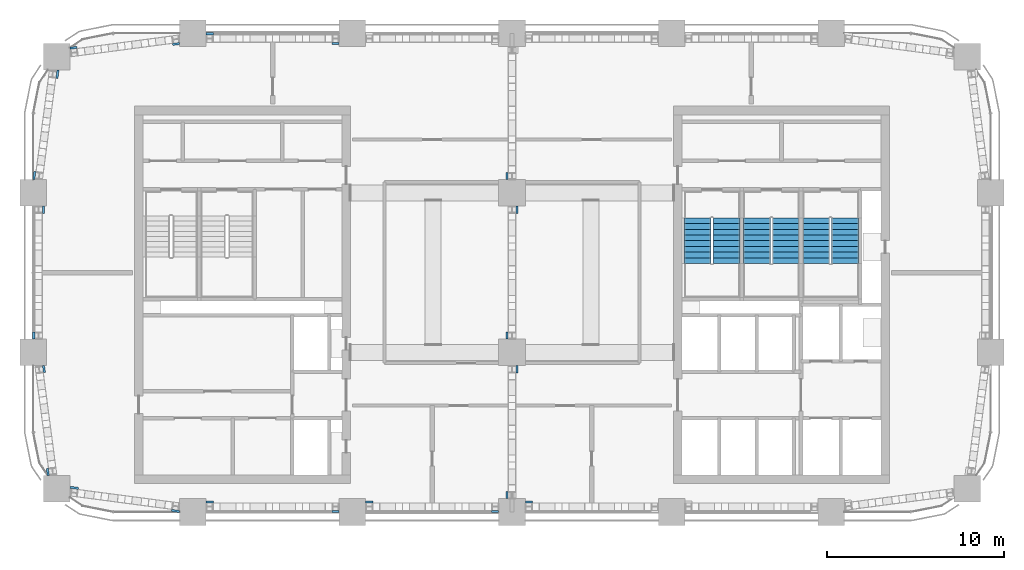
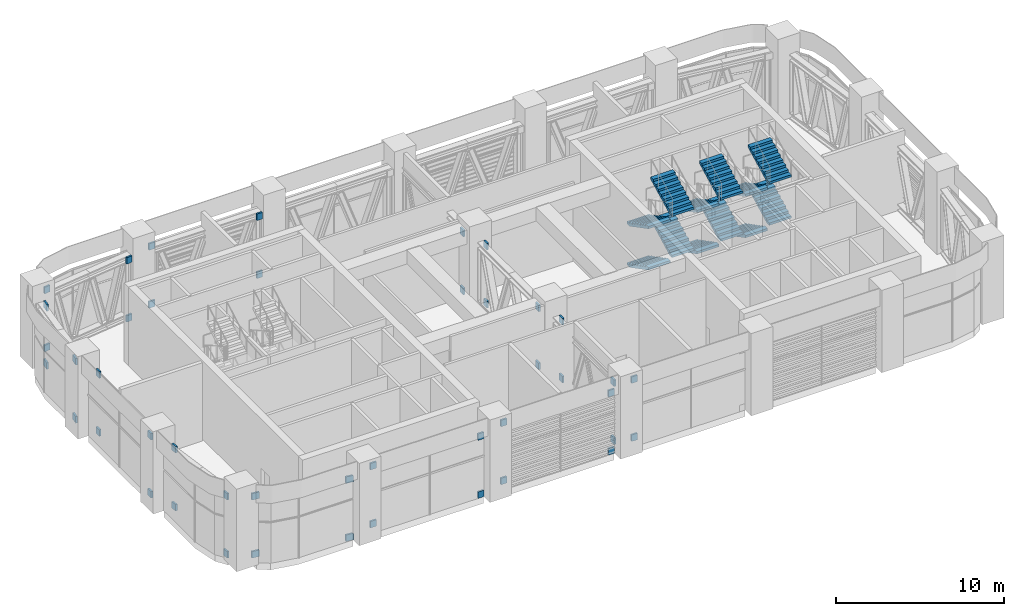
# One storey, part 15 of 19: 44 discrete accessories, 12 stair flights, 3 elements without a shape of their own.
"""IFC4 building model written with IfcOpenShell, lengths in metres."""

from ifc_helpers import new_model, si_unit, direction, frame, origin, place, context, subcontext, project, spatial, polyline, outline, extrude, material, type_object, element, aggregate, save


model = new_model("IFC4")

# Units and contexts
model_context = context("Model", 3, precision=1e-05, world=origin(), true_north=direction((0.0, 1.0)))
body_context = subcontext(model_context, "Body", "Model", "MODEL_VIEW")
ifc_project = project(units=[si_unit("LENGTHUNIT", "METRE"), si_unit("AREAUNIT", "SQUARE_METRE"), si_unit("VOLUMEUNIT", "CUBIC_METRE"), si_unit("PLANEANGLEUNIT", "RADIAN"), si_unit("MASSUNIT", "GRAM", prefix="KILO")], contexts=[model_context])

# Site, building, storey
site_placement = place(None, origin())
site = spatial("IfcSite", under=ifc_project, at=site_placement, CompositionType="ELEMENT")
building_placement = place(site_placement, origin())
building = spatial("IfcBuilding", under=site, at=building_placement, Name="Tessera Arch", CompositionType="ELEMENT")
storey_placement = place(building_placement, frame((0.0, 0.0, 197.300048828125)))
storey = spatial("IfcBuildingStorey", under=building, at=storey_placement, Name="L47", CompositionType="ELEMENT", Elevation=197.300048828125)

# Stair, stair flights
ifc_material_1 = material(Name="Concrete C40/50", Category="concrete")
stair_type = type_object("IfcStairType", Name="Dogleg stair 1520", PredefinedType="HALF_TURN_STAIR", material=ifc_material_1)
stair_1_placement = place(storey_placement, origin())
stair_1 = element("IfcStair", 1, at=stair_1_placement, inside=storey, type_object=stair_type, Name="L47 S1a", PredefinedType="HALF_TURN_STAIR")
ifc_material_2 = material(Name="Concrete C40/50", Category="concrete")
stair_flight_type = type_object("IfcStairFlightType", Name="Stair flight 1520", PredefinedType="STRAIGHT", material=ifc_material_2)
stair_flight_1_placement = place(storey_placement, frame((37.4599609375, 43.580078125, 0.0), z_axis=(0.0, 0.0, 1.0), x_axis=(0.0, -1.0, 0.0)))
stair_flight_1 = element("IfcStairFlight", 2, at=stair_flight_1_placement, type_object=stair_flight_type, Name="S1a flight 1", NumberOfRisers=9, NumberOfTreads=8, PredefinedType="STRAIGHT", RiserHeight=0.166666667, TreadLength=0.32, context=body_context, shape_type="SweptSolid", body=[
    extrude(outline(polyline([(0.0, 0.0), (0.0, 0.166748046875), (0.320068359375, 0.166748046875), (0.320068359375, 0.333251953125), (0.639892578125, 0.333251953125), (0.639892578125, 0.5), (0.9599609375, 0.5), (0.9599609375, 0.666748046875), (1.280029296875, 0.666748046875), (1.280029296875, 0.833251953125), (1.60009765625, 0.833251953125), (1.60009765625, 1.0), (1.919921875, 1.0), (1.919921875, 1.166748046875), (2.239990234375, 1.166748046875), (2.239990234375, 1.333251953125), (2.56005859375, 1.333251953125), (2.56005859375, 1.5), (2.56005859375, 1.164306640625), (0.324462890625, 0.0), (0.0, 0.0)])), frame((0.0, 0.760009765625, 0.0), z_axis=(0.0, -1.0, 0.0), x_axis=(1.0, 0.0, 0.0)), (0.0, 0.0, 1.0), 1.52001953125),
])
stair_flight_2_placement = place(storey_placement, frame((39.090087890625, 41.02001953125, 1.5), z_axis=(0.0, 0.0, 1.0), x_axis=(0.0, 1.0, 0.0)))
stair_flight_2 = element("IfcStairFlight", 3, at=stair_flight_2_placement, type_object=stair_flight_type, Name="S1a flight 2", NumberOfRisers=9, NumberOfTreads=8, PredefinedType="STRAIGHT", RiserHeight=0.166666667, TreadLength=0.32, context=body_context, shape_type="SweptSolid", body=[
    extrude(outline(polyline([(0.0, 0.0), (0.0, 0.166748046875), (0.320068359375, 0.166748046875), (0.320068359375, 0.333251953125), (0.639892578125, 0.333251953125), (0.639892578125, 0.5), (0.9599609375, 0.5), (0.9599609375, 0.666748046875), (1.280029296875, 0.666748046875), (1.280029296875, 0.833251953125), (1.60009765625, 0.833251953125), (1.60009765625, 1.0), (1.919921875, 1.0), (1.919921875, 1.166748046875), (2.239990234375, 1.166748046875), (2.239990234375, 1.333251953125), (2.56005859375, 1.333251953125), (2.56005859375, 1.5), (2.56005859375, 1.164306640625), (0.324462890625, 0.0), (0.0, 0.0)])), frame((0.0, 0.760009765625, 0.0), z_axis=(0.0, -1.0, 0.0), x_axis=(1.0, 0.0, 0.0)), (0.0, 0.0, 1.0), 1.52001953125),
])
stair_flight_3_placement = place(storey_placement, frame((37.4599609375, 43.580078125, 3.0), z_axis=(0.0, 0.0, 1.0), x_axis=(0.0, -1.0, 0.0)))
stair_flight_3 = element("IfcStairFlight", 4, at=stair_flight_3_placement, type_object=stair_flight_type, Name="S1a flight 3", NumberOfRisers=9, NumberOfTreads=8, PredefinedType="STRAIGHT", RiserHeight=0.166666667, TreadLength=0.32, context=body_context, shape_type="SweptSolid", body=[
    extrude(outline(polyline([(0.0, 0.0), (0.0, 0.166748046875), (0.320068359375, 0.166748046875), (0.320068359375, 0.333251953125), (0.639892578125, 0.333251953125), (0.639892578125, 0.5), (0.9599609375, 0.5), (0.9599609375, 0.666748046875), (1.280029296875, 0.666748046875), (1.280029296875, 0.833251953125), (1.60009765625, 0.833251953125), (1.60009765625, 1.0), (1.919921875, 1.0), (1.919921875, 1.166748046875), (2.239990234375, 1.166748046875), (2.239990234375, 1.333251953125), (2.56005859375, 1.333251953125), (2.56005859375, 1.5), (2.56005859375, 1.164306640625), (0.324462890625, 0.0), (0.0, 0.0)])), frame((0.0, 0.760009765625, 0.0), z_axis=(0.0, -1.0, 0.0), x_axis=(1.0, 0.0, 0.0)), (0.0, 0.0, 1.0), 1.52001953125),
])
stair_flight_4_placement = place(storey_placement, frame((39.090087890625, 41.02001953125, 4.5), z_axis=(0.0, 0.0, 1.0), x_axis=(0.0, 1.0, 0.0)))
stair_flight_4 = element("IfcStairFlight", 5, at=stair_flight_4_placement, type_object=stair_flight_type, Name="S1a flight 4", NumberOfRisers=9, NumberOfTreads=8, PredefinedType="STRAIGHT", RiserHeight=0.166666667, TreadLength=0.32, context=body_context, shape_type="SweptSolid", body=[
    extrude(outline(polyline([(0.0, 0.0), (0.0, 0.166748046875), (0.320068359375, 0.166748046875), (0.320068359375, 0.333251953125), (0.639892578125, 0.333251953125), (0.639892578125, 0.5), (0.9599609375, 0.5), (0.9599609375, 0.666748046875), (1.280029296875, 0.666748046875), (1.280029296875, 0.833251953125), (1.60009765625, 0.833251953125), (1.60009765625, 1.0), (1.919921875, 1.0), (1.919921875, 1.166748046875), (2.239990234375, 1.166748046875), (2.239990234375, 1.333251953125), (2.56005859375, 1.333251953125), (2.56005859375, 1.5), (2.56005859375, 1.164306640625), (0.324462890625, 0.0), (0.0, 0.0)])), frame((0.0, 0.760009765625, 0.0), z_axis=(0.0, -1.0, 0.0), x_axis=(1.0, 0.0, 0.0)), (0.0, 0.0, 1.0), 1.52001953125),
])
aggregate(stair_1, [stair_flight_1, stair_flight_2, stair_flight_3, stair_flight_4])

stair_2_placement = place(storey_placement, origin())
stair_2 = element("IfcStair", 6, at=stair_2_placement, inside=storey, type_object=stair_type, Name="L47 S1b", PredefinedType="HALF_TURN_STAIR")
stair_flight_5_placement = place(storey_placement, frame((40.81005859375, 43.580078125, 0.0), z_axis=(0.0, 0.0, 1.0), x_axis=(0.0, -1.0, 0.0)))
stair_flight_5 = element("IfcStairFlight", 7, at=stair_flight_5_placement, type_object=stair_flight_type, Name="S1b flight 1", NumberOfRisers=9, NumberOfTreads=8, PredefinedType="STRAIGHT", RiserHeight=0.166666667, TreadLength=0.32, context=body_context, shape_type="SweptSolid", body=[
    extrude(outline(polyline([(0.0, 0.0), (0.0, 0.166748046875), (0.320068359375, 0.166748046875), (0.320068359375, 0.333251953125), (0.639892578125, 0.333251953125), (0.639892578125, 0.5), (0.9599609375, 0.5), (0.9599609375, 0.666748046875), (1.280029296875, 0.666748046875), (1.280029296875, 0.833251953125), (1.60009765625, 0.833251953125), (1.60009765625, 1.0), (1.919921875, 1.0), (1.919921875, 1.166748046875), (2.239990234375, 1.166748046875), (2.239990234375, 1.333251953125), (2.56005859375, 1.333251953125), (2.56005859375, 1.5), (2.56005859375, 1.164306640625), (0.324462890625, 0.0), (0.0, 0.0)])), frame((0.0, 0.760009765625, 0.0), z_axis=(0.0, -1.0, 0.0), x_axis=(1.0, 0.0, 0.0)), (0.0, 0.0, 1.0), 1.52001953125),
])
stair_flight_6_placement = place(storey_placement, frame((42.43994140625, 41.02001953125, 1.5), z_axis=(0.0, 0.0, 1.0), x_axis=(0.0, 1.0, 0.0)))
stair_flight_6 = element("IfcStairFlight", 8, at=stair_flight_6_placement, type_object=stair_flight_type, Name="S1b flight 2", NumberOfRisers=9, NumberOfTreads=8, PredefinedType="STRAIGHT", RiserHeight=0.166666667, TreadLength=0.32, context=body_context, shape_type="SweptSolid", body=[
    extrude(outline(polyline([(0.0, 0.0), (0.0, 0.166748046875), (0.320068359375, 0.166748046875), (0.320068359375, 0.333251953125), (0.639892578125, 0.333251953125), (0.639892578125, 0.5), (0.9599609375, 0.5), (0.9599609375, 0.666748046875), (1.280029296875, 0.666748046875), (1.280029296875, 0.833251953125), (1.60009765625, 0.833251953125), (1.60009765625, 1.0), (1.919921875, 1.0), (1.919921875, 1.166748046875), (2.239990234375, 1.166748046875), (2.239990234375, 1.333251953125), (2.56005859375, 1.333251953125), (2.56005859375, 1.5), (2.56005859375, 1.164306640625), (0.324462890625, 0.0), (0.0, 0.0)])), frame((0.0, 0.760009765625, 0.0), z_axis=(0.0, -1.0, 0.0), x_axis=(1.0, 0.0, 0.0)), (0.0, 0.0, 1.0), 1.52001953125),
])
stair_flight_7_placement = place(storey_placement, frame((40.81005859375, 43.580078125, 3.0), z_axis=(0.0, 0.0, 1.0), x_axis=(0.0, -1.0, 0.0)))
stair_flight_7 = element("IfcStairFlight", 9, at=stair_flight_7_placement, type_object=stair_flight_type, Name="S1b flight 3", NumberOfRisers=9, NumberOfTreads=8, PredefinedType="STRAIGHT", RiserHeight=0.166666667, TreadLength=0.32, context=body_context, shape_type="SweptSolid", body=[
    extrude(outline(polyline([(0.0, 0.0), (0.0, 0.166748046875), (0.320068359375, 0.166748046875), (0.320068359375, 0.333251953125), (0.639892578125, 0.333251953125), (0.639892578125, 0.5), (0.9599609375, 0.5), (0.9599609375, 0.666748046875), (1.280029296875, 0.666748046875), (1.280029296875, 0.833251953125), (1.60009765625, 0.833251953125), (1.60009765625, 1.0), (1.919921875, 1.0), (1.919921875, 1.166748046875), (2.239990234375, 1.166748046875), (2.239990234375, 1.333251953125), (2.56005859375, 1.333251953125), (2.56005859375, 1.5), (2.56005859375, 1.164306640625), (0.324462890625, 0.0), (0.0, 0.0)])), frame((0.0, 0.760009765625, 0.0), z_axis=(0.0, -1.0, 0.0), x_axis=(1.0, 0.0, 0.0)), (0.0, 0.0, 1.0), 1.52001953125),
])
stair_flight_8_placement = place(storey_placement, frame((42.43994140625, 41.02001953125, 4.5), z_axis=(0.0, 0.0, 1.0), x_axis=(0.0, 1.0, 0.0)))
stair_flight_8 = element("IfcStairFlight", 10, at=stair_flight_8_placement, type_object=stair_flight_type, Name="S1b flight 4", NumberOfRisers=9, NumberOfTreads=8, PredefinedType="STRAIGHT", RiserHeight=0.166666667, TreadLength=0.32, context=body_context, shape_type="SweptSolid", body=[
    extrude(outline(polyline([(0.0, 0.0), (0.0, 0.166748046875), (0.320068359375, 0.166748046875), (0.320068359375, 0.333251953125), (0.639892578125, 0.333251953125), (0.639892578125, 0.5), (0.9599609375, 0.5), (0.9599609375, 0.666748046875), (1.280029296875, 0.666748046875), (1.280029296875, 0.833251953125), (1.60009765625, 0.833251953125), (1.60009765625, 1.0), (1.919921875, 1.0), (1.919921875, 1.166748046875), (2.239990234375, 1.166748046875), (2.239990234375, 1.333251953125), (2.56005859375, 1.333251953125), (2.56005859375, 1.5), (2.56005859375, 1.164306640625), (0.324462890625, 0.0), (0.0, 0.0)])), frame((0.0, 0.760009765625, 0.0), z_axis=(0.0, -1.0, 0.0), x_axis=(1.0, 0.0, 0.0)), (0.0, 0.0, 1.0), 1.52001953125),
])
aggregate(stair_2, [stair_flight_5, stair_flight_6, stair_flight_7, stair_flight_8])

stair_3_placement = place(storey_placement, origin())
stair_3 = element("IfcStair", 11, at=stair_3_placement, inside=storey, type_object=stair_type, Name="L47 S1c", PredefinedType="HALF_TURN_STAIR")
stair_flight_9_placement = place(storey_placement, frame((44.159912109375, 43.580078125, 0.0), z_axis=(0.0, 0.0, 1.0), x_axis=(0.0, -1.0, 0.0)))
stair_flight_9 = element("IfcStairFlight", 12, at=stair_flight_9_placement, type_object=stair_flight_type, Name="S1c flight 1", NumberOfRisers=9, NumberOfTreads=8, PredefinedType="STRAIGHT", RiserHeight=0.166666667, TreadLength=0.32, context=body_context, shape_type="SweptSolid", body=[
    extrude(outline(polyline([(0.0, 0.0), (0.0, 0.166748046875), (0.320068359375, 0.166748046875), (0.320068359375, 0.333251953125), (0.639892578125, 0.333251953125), (0.639892578125, 0.5), (0.9599609375, 0.5), (0.9599609375, 0.666748046875), (1.280029296875, 0.666748046875), (1.280029296875, 0.833251953125), (1.60009765625, 0.833251953125), (1.60009765625, 1.0), (1.919921875, 1.0), (1.919921875, 1.166748046875), (2.239990234375, 1.166748046875), (2.239990234375, 1.333251953125), (2.56005859375, 1.333251953125), (2.56005859375, 1.5), (2.56005859375, 1.164306640625), (0.324462890625, 0.0), (0.0, 0.0)])), frame((0.0, 0.760009765625, 0.0), z_axis=(0.0, -1.0, 0.0), x_axis=(1.0, 0.0, 0.0)), (0.0, 0.0, 1.0), 1.52001953125),
])
stair_flight_10_placement = place(storey_placement, frame((45.7900390625, 41.02001953125, 1.5), z_axis=(0.0, 0.0, 1.0), x_axis=(0.0, 1.0, 0.0)))
stair_flight_10 = element("IfcStairFlight", 13, at=stair_flight_10_placement, type_object=stair_flight_type, Name="S1c flight 2", NumberOfRisers=9, NumberOfTreads=8, PredefinedType="STRAIGHT", RiserHeight=0.166666667, TreadLength=0.32, context=body_context, shape_type="SweptSolid", body=[
    extrude(outline(polyline([(0.0, 0.0), (0.0, 0.166748046875), (0.320068359375, 0.166748046875), (0.320068359375, 0.333251953125), (0.639892578125, 0.333251953125), (0.639892578125, 0.5), (0.9599609375, 0.5), (0.9599609375, 0.666748046875), (1.280029296875, 0.666748046875), (1.280029296875, 0.833251953125), (1.60009765625, 0.833251953125), (1.60009765625, 1.0), (1.919921875, 1.0), (1.919921875, 1.166748046875), (2.239990234375, 1.166748046875), (2.239990234375, 1.333251953125), (2.56005859375, 1.333251953125), (2.56005859375, 1.5), (2.56005859375, 1.164306640625), (0.324462890625, 0.0), (0.0, 0.0)])), frame((0.0, 0.760009765625, 0.0), z_axis=(0.0, -1.0, 0.0), x_axis=(1.0, 0.0, 0.0)), (0.0, 0.0, 1.0), 1.52001953125),
])
stair_flight_11_placement = place(storey_placement, frame((44.159912109375, 43.580078125, 3.0), z_axis=(0.0, 0.0, 1.0), x_axis=(0.0, -1.0, 0.0)))
stair_flight_11 = element("IfcStairFlight", 14, at=stair_flight_11_placement, type_object=stair_flight_type, Name="S1c flight 3", NumberOfRisers=9, NumberOfTreads=8, PredefinedType="STRAIGHT", RiserHeight=0.166666667, TreadLength=0.32, context=body_context, shape_type="SweptSolid", body=[
    extrude(outline(polyline([(0.0, 0.0), (0.0, 0.166748046875), (0.320068359375, 0.166748046875), (0.320068359375, 0.333251953125), (0.639892578125, 0.333251953125), (0.639892578125, 0.5), (0.9599609375, 0.5), (0.9599609375, 0.666748046875), (1.280029296875, 0.666748046875), (1.280029296875, 0.833251953125), (1.60009765625, 0.833251953125), (1.60009765625, 1.0), (1.919921875, 1.0), (1.919921875, 1.166748046875), (2.239990234375, 1.166748046875), (2.239990234375, 1.333251953125), (2.56005859375, 1.333251953125), (2.56005859375, 1.5), (2.56005859375, 1.164306640625), (0.324462890625, 0.0), (0.0, 0.0)])), frame((0.0, 0.760009765625, 0.0), z_axis=(0.0, -1.0, 0.0), x_axis=(1.0, 0.0, 0.0)), (0.0, 0.0, 1.0), 1.52001953125),
])
stair_flight_12_placement = place(storey_placement, frame((45.7900390625, 41.02001953125, 4.5), z_axis=(0.0, 0.0, 1.0), x_axis=(0.0, 1.0, 0.0)))
stair_flight_12 = element("IfcStairFlight", 15, at=stair_flight_12_placement, type_object=stair_flight_type, Name="S1c flight 4", NumberOfRisers=9, NumberOfTreads=8, PredefinedType="STRAIGHT", RiserHeight=0.166666667, TreadLength=0.32, context=body_context, shape_type="SweptSolid", body=[
    extrude(outline(polyline([(0.0, 0.0), (0.0, 0.166748046875), (0.320068359375, 0.166748046875), (0.320068359375, 0.333251953125), (0.639892578125, 0.333251953125), (0.639892578125, 0.5), (0.9599609375, 0.5), (0.9599609375, 0.666748046875), (1.280029296875, 0.666748046875), (1.280029296875, 0.833251953125), (1.60009765625, 0.833251953125), (1.60009765625, 1.0), (1.919921875, 1.0), (1.919921875, 1.166748046875), (2.239990234375, 1.166748046875), (2.239990234375, 1.333251953125), (2.56005859375, 1.333251953125), (2.56005859375, 1.5), (2.56005859375, 1.164306640625), (0.324462890625, 0.0), (0.0, 0.0)])), frame((0.0, 0.760009765625, 0.0), z_axis=(0.0, -1.0, 0.0), x_axis=(1.0, 0.0, 0.0)), (0.0, 0.0, 1.0), 1.52001953125),
])
aggregate(stair_3, [stair_flight_9, stair_flight_10, stair_flight_11, stair_flight_12])

# Discrete accessories
discrete_accessory_1_placement = place(storey_placement, frame((0.0, 0.0, 4.225830078125)))
element("IfcDiscreteAccessory", 16, at=discrete_accessory_1_placement, inside=storey, Name="Chord seat bracket", PredefinedType="BRACKET", context=body_context, shape_type="SweptSolid", body=[
    extrude(outline(polyline([(16.85009765625, 53.488037109375), (17.25, 53.488037109375), (17.25, 53.367919921875), (16.85009765625, 53.367919921875), (16.85009765625, 53.488037109375)])), origin(), (0.0, 0.0, 1.0), 0.47412109375),
])
discrete_accessory_2_placement = place(storey_placement, frame((0.0, 0.0, 4.225830078125)))
element("IfcDiscreteAccessory", 17, at=discrete_accessory_2_placement, inside=storey, Name="Chord seat bracket", PredefinedType="BRACKET", context=body_context, shape_type="SweptSolid", body=[
    extrude(outline(polyline([(9.75, 53.912109375), (9.75, 54.031982421875), (10.14990234375, 54.031982421875), (10.14990234375, 53.912109375), (9.75, 53.912109375)])), origin(), (0.0, 0.0, 1.0), 0.47412109375),
])
discrete_accessory_3_placement = place(storey_placement, origin())
element("IfcDiscreteAccessory", 18, at=discrete_accessory_3_placement, inside=storey, Name="Chord seat bracket", PredefinedType="BRACKET", context=body_context, shape_type="SweptSolid", body=[
    extrude(outline(polyline([(16.85009765625, 53.488037109375), (17.25, 53.488037109375), (17.25, 53.367919921875), (16.85009765625, 53.367919921875), (16.85009765625, 53.488037109375)])), origin(), (0.0, 0.0, 1.0), 0.47412109375),
])
discrete_accessory_4_placement = place(storey_placement, origin())
element("IfcDiscreteAccessory", 19, at=discrete_accessory_4_placement, inside=storey, Name="Chord seat bracket", PredefinedType="BRACKET", context=body_context, shape_type="SweptSolid", body=[
    extrude(outline(polyline([(9.75, 53.912109375), (9.75, 54.031982421875), (10.14990234375, 54.031982421875), (10.14990234375, 53.912109375), (9.75, 53.912109375)])), origin(), (0.0, 0.0, 1.0), 0.47412109375),
])
discrete_accessory_5_placement = place(storey_placement, frame((0.0, 0.0, 4.225830078125)))
element("IfcDiscreteAccessory", 20, at=discrete_accessory_5_placement, inside=storey, Name="Chord seat bracket", PredefinedType="BRACKET", context=body_context, shape_type="SweptSolid", body=[
    extrude(outline(polyline([(8.25, 53.4833984375), (8.25, 53.362548828125), (7.869140625, 53.312255859375), (7.853515625, 53.43115234375), (8.25, 53.4833984375)])), origin(), (0.0, 0.0, 1.0), 0.47412109375),
])
discrete_accessory_6_placement = place(storey_placement, frame((0.0, 0.0, 4.225830078125)))
element("IfcDiscreteAccessory", 21, at=discrete_accessory_6_placement, inside=storey, Name="Chord seat bracket", PredefinedType="BRACKET", context=body_context, shape_type="SweptSolid", body=[
    extrude(outline(polyline([(2.47607421875, 53.148193359375), (2.068115234375, 53.094482421875), (2.068115234375, 53.21533203125), (2.46044921875, 53.267333984375), (2.47607421875, 53.148193359375)])), origin(), (0.0, 0.0, 1.0), 0.47412109375),
])
discrete_accessory_7_placement = place(storey_placement, origin())
element("IfcDiscreteAccessory", 22, at=discrete_accessory_7_placement, inside=storey, Name="Chord seat bracket", PredefinedType="BRACKET", context=body_context, shape_type="SweptSolid", body=[
    extrude(outline(polyline([(8.25, 53.4833984375), (8.25, 53.362548828125), (7.869140625, 53.312255859375), (7.853515625, 53.43115234375), (8.25, 53.4833984375)])), origin(), (0.0, 0.0, 1.0), 0.47412109375),
])
discrete_accessory_8_placement = place(storey_placement, origin())
element("IfcDiscreteAccessory", 23, at=discrete_accessory_8_placement, inside=storey, Name="Chord seat bracket", PredefinedType="BRACKET", context=body_context, shape_type="SweptSolid", body=[
    extrude(outline(polyline([(2.47607421875, 53.148193359375), (2.068115234375, 53.094482421875), (2.068115234375, 53.21533203125), (2.46044921875, 53.267333984375), (2.47607421875, 53.148193359375)])), origin(), (0.0, 0.0, 1.0), 0.47412109375),
])
discrete_accessory_9_placement = place(storey_placement, frame((0.0, 0.0, 4.225830078125)))
element("IfcDiscreteAccessory", 24, at=discrete_accessory_9_placement, inside=storey, Name="Chord seat bracket", PredefinedType="BRACKET", context=body_context, shape_type="SweptSolid", body=[
    extrude(outline(polyline([(1.272216796875, 51.468505859375), (1.33349609375, 51.931884765625), (1.454345703125, 51.931884765625), (1.39111328125, 51.45263671875), (1.272216796875, 51.468505859375)])), origin(), (0.0, 0.0, 1.0), 0.47412109375),
])
discrete_accessory_10_placement = place(storey_placement, frame((0.0, 0.0, 4.225830078125)))
element("IfcDiscreteAccessory", 25, at=discrete_accessory_10_placement, inside=storey, Name="Chord seat bracket", PredefinedType="BRACKET", context=body_context, shape_type="SweptSolid", body=[
    extrude(outline(polyline([(0.1484375, 46.201904296875), (0.088623046875, 45.75), (-0.0322265625, 45.75), (0.029541015625, 46.2177734375), (0.1484375, 46.201904296875)])), origin(), (0.0, 0.0, 1.0), 0.47412109375),
])
discrete_accessory_11_placement = place(storey_placement, origin())
element("IfcDiscreteAccessory", 26, at=discrete_accessory_11_placement, inside=storey, Name="Chord seat bracket", PredefinedType="BRACKET", context=body_context, shape_type="SweptSolid", body=[
    extrude(outline(polyline([(1.272216796875, 51.468505859375), (1.33349609375, 51.931884765625), (1.454345703125, 51.931884765625), (1.39111328125, 51.45263671875), (1.272216796875, 51.468505859375)])), origin(), (0.0, 0.0, 1.0), 0.47412109375),
])
discrete_accessory_12_placement = place(storey_placement, origin())
element("IfcDiscreteAccessory", 27, at=discrete_accessory_12_placement, inside=storey, Name="Chord seat bracket", PredefinedType="BRACKET", context=body_context, shape_type="SweptSolid", body=[
    extrude(outline(polyline([(0.1484375, 46.201904296875), (0.088623046875, 45.75), (-0.0322265625, 45.75), (0.029541015625, 46.2177734375), (0.1484375, 46.201904296875)])), origin(), (0.0, 0.0, 1.0), 0.47412109375),
])
discrete_accessory_13_placement = place(storey_placement, frame((0.0, 0.0, 4.225830078125)))
element("IfcDiscreteAccessory", 28, at=discrete_accessory_13_placement, inside=storey, Name="Chord seat bracket", PredefinedType="BRACKET", context=body_context, shape_type="SweptSolid", body=[
    extrude(outline(polyline([(0.511962890625, 43.85009765625), (0.511962890625, 44.25), (0.632080078125, 44.25), (0.632080078125, 43.85009765625), (0.511962890625, 43.85009765625)])), origin(), (0.0, 0.0, 1.0), 0.47412109375),
])
discrete_accessory_14_placement = place(storey_placement, frame((0.0, 0.0, 4.225830078125)))
element("IfcDiscreteAccessory", 29, at=discrete_accessory_14_placement, inside=storey, Name="Chord seat bracket", PredefinedType="BRACKET", context=body_context, shape_type="SweptSolid", body=[
    extrude(outline(polyline([(0.087890625, 36.75), (-0.031982421875, 36.75), (-0.031982421875, 37.14990234375), (0.087890625, 37.14990234375), (0.087890625, 36.75)])), origin(), (0.0, 0.0, 1.0), 0.47412109375),
])
discrete_accessory_15_placement = place(storey_placement, origin())
element("IfcDiscreteAccessory", 30, at=discrete_accessory_15_placement, inside=storey, Name="Chord seat bracket", PredefinedType="BRACKET", context=body_context, shape_type="SweptSolid", body=[
    extrude(outline(polyline([(0.511962890625, 43.85009765625), (0.511962890625, 44.25), (0.632080078125, 44.25), (0.632080078125, 43.85009765625), (0.511962890625, 43.85009765625)])), origin(), (0.0, 0.0, 1.0), 0.47412109375),
])
discrete_accessory_16_placement = place(storey_placement, origin())
element("IfcDiscreteAccessory", 31, at=discrete_accessory_16_placement, inside=storey, Name="Chord seat bracket", PredefinedType="BRACKET", context=body_context, shape_type="SweptSolid", body=[
    extrude(outline(polyline([(0.087890625, 36.75), (-0.031982421875, 36.75), (-0.031982421875, 37.14990234375), (0.087890625, 37.14990234375), (0.087890625, 36.75)])), origin(), (0.0, 0.0, 1.0), 0.47412109375),
])
discrete_accessory_17_placement = place(storey_placement, frame((0.0, 0.0, 4.225830078125)))
element("IfcDiscreteAccessory", 32, at=discrete_accessory_17_placement, inside=storey, Name="Chord seat bracket", PredefinedType="BRACKET", context=body_context, shape_type="SweptSolid", body=[
    extrude(outline(polyline([(0.5166015625, 35.25), (0.637451171875, 35.25), (0.687744140625, 34.869140625), (0.56884765625, 34.853515625), (0.5166015625, 35.25)])), origin(), (0.0, 0.0, 1.0), 0.47412109375),
])
discrete_accessory_18_placement = place(storey_placement, frame((0.0, 0.0, 4.225830078125)))
element("IfcDiscreteAccessory", 33, at=discrete_accessory_18_placement, inside=storey, Name="Chord seat bracket", PredefinedType="BRACKET", context=body_context, shape_type="SweptSolid", body=[
    extrude(outline(polyline([(0.78466796875, 29.068115234375), (0.732666015625, 29.46044921875), (0.851806640625, 29.47607421875), (0.905517578125, 29.068115234375), (0.78466796875, 29.068115234375)])), origin(), (0.0, 0.0, 1.0), 0.47412109375),
])
discrete_accessory_19_placement = place(storey_placement, origin())
element("IfcDiscreteAccessory", 34, at=discrete_accessory_19_placement, inside=storey, Name="Chord seat bracket", PredefinedType="BRACKET", context=body_context, shape_type="SweptSolid", body=[
    extrude(outline(polyline([(0.5166015625, 35.25), (0.637451171875, 35.25), (0.687744140625, 34.869140625), (0.56884765625, 34.853515625), (0.5166015625, 35.25)])), origin(), (0.0, 0.0, 1.0), 0.47412109375),
])
discrete_accessory_20_placement = place(storey_placement, origin())
element("IfcDiscreteAccessory", 35, at=discrete_accessory_20_placement, inside=storey, Name="Chord seat bracket", PredefinedType="BRACKET", context=body_context, shape_type="SweptSolid", body=[
    extrude(outline(polyline([(0.78466796875, 29.068115234375), (0.732666015625, 29.46044921875), (0.851806640625, 29.47607421875), (0.905517578125, 29.068115234375), (0.78466796875, 29.068115234375)])), origin(), (0.0, 0.0, 1.0), 0.47412109375),
])
discrete_accessory_21_placement = place(storey_placement, frame((0.0, 0.0, 4.225830078125)))
element("IfcDiscreteAccessory", 36, at=discrete_accessory_21_placement, inside=storey, Name="Chord seat bracket", PredefinedType="BRACKET", context=body_context, shape_type="SweptSolid", body=[
    extrude(outline(polyline([(2.068115234375, 28.454345703125), (2.54736328125, 28.39111328125), (2.531494140625, 28.272216796875), (2.068115234375, 28.33349609375), (2.068115234375, 28.454345703125)])), origin(), (0.0, 0.0, 1.0), 0.47412109375),
])
discrete_accessory_22_placement = place(storey_placement, frame((0.0, 0.0, 4.225830078125)))
element("IfcDiscreteAccessory", 37, at=discrete_accessory_22_placement, inside=storey, Name="Chord seat bracket", PredefinedType="BRACKET", context=body_context, shape_type="SweptSolid", body=[
    extrude(outline(polyline([(7.798095703125, 27.1484375), (8.25, 27.088623046875), (8.25, 26.9677734375), (7.7822265625, 27.029541015625), (7.798095703125, 27.1484375)])), origin(), (0.0, 0.0, 1.0), 0.47412109375),
])
discrete_accessory_23_placement = place(storey_placement, origin())
element("IfcDiscreteAccessory", 38, at=discrete_accessory_23_placement, inside=storey, Name="Chord seat bracket", PredefinedType="BRACKET", context=body_context, shape_type="SweptSolid", body=[
    extrude(outline(polyline([(2.068115234375, 28.454345703125), (2.54736328125, 28.39111328125), (2.531494140625, 28.272216796875), (2.068115234375, 28.33349609375), (2.068115234375, 28.454345703125)])), origin(), (0.0, 0.0, 1.0), 0.47412109375),
])
discrete_accessory_24_placement = place(storey_placement, origin())
element("IfcDiscreteAccessory", 39, at=discrete_accessory_24_placement, inside=storey, Name="Chord seat bracket", PredefinedType="BRACKET", context=body_context, shape_type="SweptSolid", body=[
    extrude(outline(polyline([(7.798095703125, 27.1484375), (8.25, 27.088623046875), (8.25, 26.9677734375), (7.7822265625, 27.029541015625), (7.798095703125, 27.1484375)])), origin(), (0.0, 0.0, 1.0), 0.47412109375),
])
discrete_accessory_25_placement = place(storey_placement, frame((0.0, 0.0, 4.225830078125)))
element("IfcDiscreteAccessory", 40, at=discrete_accessory_25_placement, inside=storey, Name="Chord seat bracket", PredefinedType="BRACKET", context=body_context, shape_type="SweptSolid", body=[
    extrude(outline(polyline([(10.14990234375, 27.511962890625), (9.75, 27.511962890625), (9.75, 27.632080078125), (10.14990234375, 27.632080078125), (10.14990234375, 27.511962890625)])), origin(), (0.0, 0.0, 1.0), 0.47412109375),
])
discrete_accessory_26_placement = place(storey_placement, frame((0.0, 0.0, 4.225830078125)))
element("IfcDiscreteAccessory", 41, at=discrete_accessory_26_placement, inside=storey, Name="Chord seat bracket", PredefinedType="BRACKET", context=body_context, shape_type="SweptSolid", body=[
    extrude(outline(polyline([(16.85009765625, 27.087890625), (17.25, 27.087890625), (17.25, 26.968017578125), (16.85009765625, 26.968017578125), (16.85009765625, 27.087890625)])), origin(), (0.0, 0.0, 1.0), 0.47412109375),
])
discrete_accessory_27_placement = place(storey_placement, origin())
element("IfcDiscreteAccessory", 42, at=discrete_accessory_27_placement, inside=storey, Name="Chord seat bracket", PredefinedType="BRACKET", context=body_context, shape_type="SweptSolid", body=[
    extrude(outline(polyline([(10.14990234375, 27.511962890625), (9.75, 27.511962890625), (9.75, 27.632080078125), (10.14990234375, 27.632080078125), (10.14990234375, 27.511962890625)])), origin(), (0.0, 0.0, 1.0), 0.47412109375),
])
discrete_accessory_28_placement = place(storey_placement, origin())
element("IfcDiscreteAccessory", 43, at=discrete_accessory_28_placement, inside=storey, Name="Chord seat bracket", PredefinedType="BRACKET", context=body_context, shape_type="SweptSolid", body=[
    extrude(outline(polyline([(16.85009765625, 27.087890625), (17.25, 27.087890625), (17.25, 26.968017578125), (16.85009765625, 26.968017578125), (16.85009765625, 27.087890625)])), origin(), (0.0, 0.0, 1.0), 0.47412109375),
])
discrete_accessory_29_placement = place(storey_placement, frame((0.0, 0.0, 4.225830078125)))
element("IfcDiscreteAccessory", 44, at=discrete_accessory_29_placement, inside=storey, Name="Chord seat bracket", PredefinedType="BRACKET", context=body_context, shape_type="SweptSolid", body=[
    extrude(outline(polyline([(19.14990234375, 27.511962890625), (18.75, 27.511962890625), (18.75, 27.632080078125), (19.14990234375, 27.632080078125), (19.14990234375, 27.511962890625)])), origin(), (0.0, 0.0, 1.0), 0.47412109375),
])
discrete_accessory_30_placement = place(storey_placement, frame((0.0, 0.0, 4.225830078125)))
element("IfcDiscreteAccessory", 45, at=discrete_accessory_30_placement, inside=storey, Name="Chord seat bracket", PredefinedType="BRACKET", context=body_context, shape_type="SweptSolid", body=[
    extrude(outline(polyline([(25.85009765625, 27.087890625), (26.25, 27.087890625), (26.25, 26.968017578125), (25.85009765625, 26.968017578125), (25.85009765625, 27.087890625)])), origin(), (0.0, 0.0, 1.0), 0.47412109375),
])
discrete_accessory_31_placement = place(storey_placement, origin())
element("IfcDiscreteAccessory", 46, at=discrete_accessory_31_placement, inside=storey, Name="Chord seat bracket", PredefinedType="BRACKET", context=body_context, shape_type="SweptSolid", body=[
    extrude(outline(polyline([(19.14990234375, 27.511962890625), (18.75, 27.511962890625), (18.75, 27.632080078125), (19.14990234375, 27.632080078125), (19.14990234375, 27.511962890625)])), origin(), (0.0, 0.0, 1.0), 0.47412109375),
])
discrete_accessory_32_placement = place(storey_placement, origin())
element("IfcDiscreteAccessory", 47, at=discrete_accessory_32_placement, inside=storey, Name="Chord seat bracket", PredefinedType="BRACKET", context=body_context, shape_type="SweptSolid", body=[
    extrude(outline(polyline([(25.85009765625, 27.087890625), (26.25, 27.087890625), (26.25, 26.968017578125), (25.85009765625, 26.968017578125), (25.85009765625, 27.087890625)])), origin(), (0.0, 0.0, 1.0), 0.47412109375),
])
for number, where, name in (
    (48, (0.0, 0.0, 4.225830078125), "Chord seat bracket"),
    (49, (0.0, 0.0, 0.0), "Chord seat bracket"),
):
    element("IfcDiscreteAccessory", number, at=place(storey_placement, frame(where)), inside=storey, Name=name, PredefinedType="BRACKET", context=body_context, shape_type="SweptSolid", body=[
        extrude(outline(polyline([(28.14990234375, 27.511962890625), (27.75, 27.511962890625), (27.75, 27.632080078125), (28.14990234375, 27.632080078125), (28.14990234375, 27.511962890625)])), origin(), (0.0, 0.0, 1.0), 0.47412109375),
    ])
discrete_accessory_33_placement = place(storey_placement, frame((0.0, 0.0, 4.225830078125)))
element("IfcDiscreteAccessory", 50, at=discrete_accessory_33_placement, inside=storey, Name="Chord seat bracket", PredefinedType="BRACKET", context=body_context, shape_type="SweptSolid", body=[
    extrude(outline(polyline([(26.7880859375, 28.150146484375), (26.7880859375, 27.75), (26.66796875, 27.75), (26.66796875, 28.150146484375), (26.7880859375, 28.150146484375)])), origin(), (0.0, 0.0, 1.0), 0.47412109375),
])
discrete_accessory_34_placement = place(storey_placement, frame((0.0, 0.0, 4.225830078125)))
element("IfcDiscreteAccessory", 51, at=discrete_accessory_34_placement, inside=storey, Name="Chord seat bracket", PredefinedType="BRACKET", context=body_context, shape_type="SweptSolid", body=[
    extrude(outline(polyline([(27.2119140625, 35.25), (27.33203125, 35.25), (27.33203125, 34.849853515625), (27.2119140625, 34.849853515625), (27.2119140625, 35.25)])), origin(), (0.0, 0.0, 1.0), 0.47412109375),
])
discrete_accessory_35_placement = place(storey_placement, origin())
element("IfcDiscreteAccessory", 52, at=discrete_accessory_35_placement, inside=storey, Name="Chord seat bracket", PredefinedType="BRACKET", context=body_context, shape_type="SweptSolid", body=[
    extrude(outline(polyline([(26.7880859375, 28.150146484375), (26.7880859375, 27.75), (26.66796875, 27.75), (26.66796875, 28.150146484375), (26.7880859375, 28.150146484375)])), origin(), (0.0, 0.0, 1.0), 0.47412109375),
])
discrete_accessory_36_placement = place(storey_placement, origin())
element("IfcDiscreteAccessory", 53, at=discrete_accessory_36_placement, inside=storey, Name="Chord seat bracket", PredefinedType="BRACKET", context=body_context, shape_type="SweptSolid", body=[
    extrude(outline(polyline([(27.2119140625, 35.25), (27.33203125, 35.25), (27.33203125, 34.849853515625), (27.2119140625, 34.849853515625), (27.2119140625, 35.25)])), origin(), (0.0, 0.0, 1.0), 0.47412109375),
])
discrete_accessory_37_placement = place(storey_placement, frame((0.0, 0.0, 4.225830078125)))
element("IfcDiscreteAccessory", 54, at=discrete_accessory_37_placement, inside=storey, Name="Chord seat bracket", PredefinedType="BRACKET", context=body_context, shape_type="SweptSolid", body=[
    extrude(outline(polyline([(26.7880859375, 36.75), (26.66796875, 36.75), (26.66796875, 37.150146484375), (26.7880859375, 37.150146484375), (26.7880859375, 36.75)])), origin(), (0.0, 0.0, 1.0), 0.47412109375),
])
discrete_accessory_38_placement = place(storey_placement, frame((0.0, 0.0, 4.225830078125)))
element("IfcDiscreteAccessory", 55, at=discrete_accessory_38_placement, inside=storey, Name="Chord seat bracket", PredefinedType="BRACKET", context=body_context, shape_type="SweptSolid", body=[
    extrude(outline(polyline([(27.2119140625, 43.849853515625), (27.2119140625, 44.25), (27.33203125, 44.25), (27.33203125, 43.849853515625), (27.2119140625, 43.849853515625)])), origin(), (0.0, 0.0, 1.0), 0.47412109375),
])
discrete_accessory_39_placement = place(storey_placement, origin())
element("IfcDiscreteAccessory", 56, at=discrete_accessory_39_placement, inside=storey, Name="Chord seat bracket", PredefinedType="BRACKET", context=body_context, shape_type="SweptSolid", body=[
    extrude(outline(polyline([(26.7880859375, 36.75), (26.66796875, 36.75), (26.66796875, 37.150146484375), (26.7880859375, 37.150146484375), (26.7880859375, 36.75)])), origin(), (0.0, 0.0, 1.0), 0.47412109375),
])
discrete_accessory_40_placement = place(storey_placement, origin())
element("IfcDiscreteAccessory", 57, at=discrete_accessory_40_placement, inside=storey, Name="Chord seat bracket", PredefinedType="BRACKET", context=body_context, shape_type="SweptSolid", body=[
    extrude(outline(polyline([(27.2119140625, 43.849853515625), (27.2119140625, 44.25), (27.33203125, 44.25), (27.33203125, 43.849853515625), (27.2119140625, 43.849853515625)])), origin(), (0.0, 0.0, 1.0), 0.47412109375),
])
for number, where, name in (
    (58, (0.0, 0.0, 4.225830078125), "Chord seat bracket"),
    (59, (0.0, 0.0, 0.0), "Chord seat bracket"),
):
    element("IfcDiscreteAccessory", number, at=place(storey_placement, frame(where)), inside=storey, Name=name, PredefinedType="BRACKET", context=body_context, shape_type="SweptSolid", body=[
        extrude(outline(polyline([(26.7880859375, 46.150146484375), (26.7880859375, 45.75), (26.66796875, 45.75), (26.66796875, 46.150146484375), (26.7880859375, 46.150146484375)])), origin(), (0.0, 0.0, 1.0), 0.47412109375),
    ])

save(model, "model.ifc")
